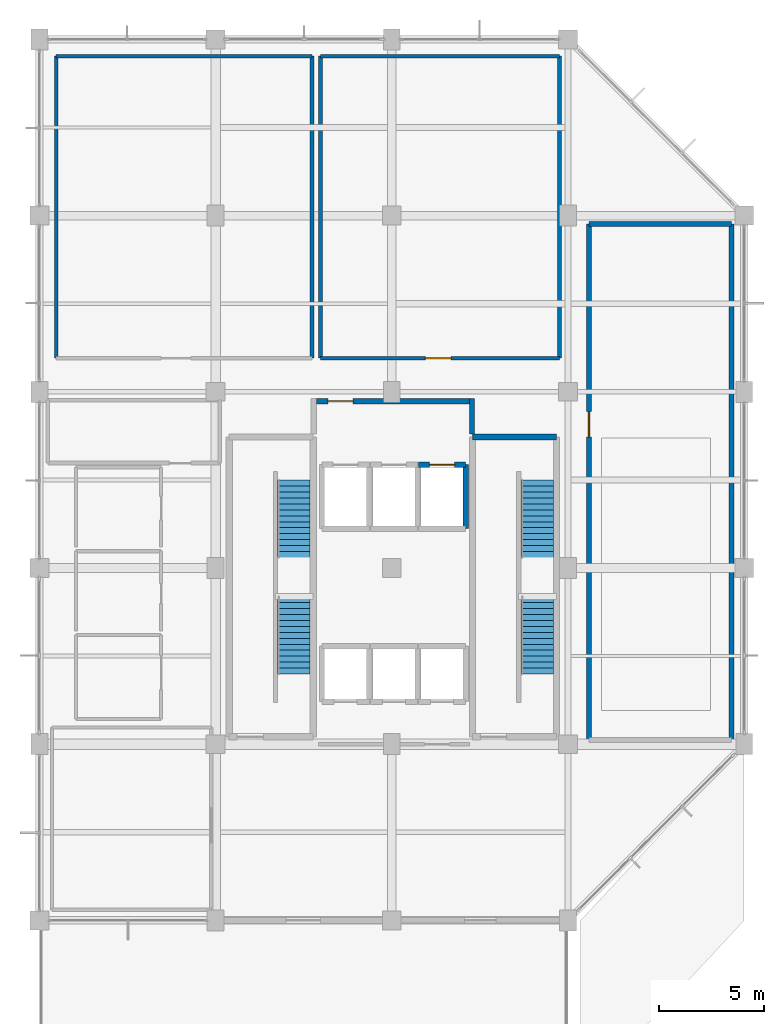
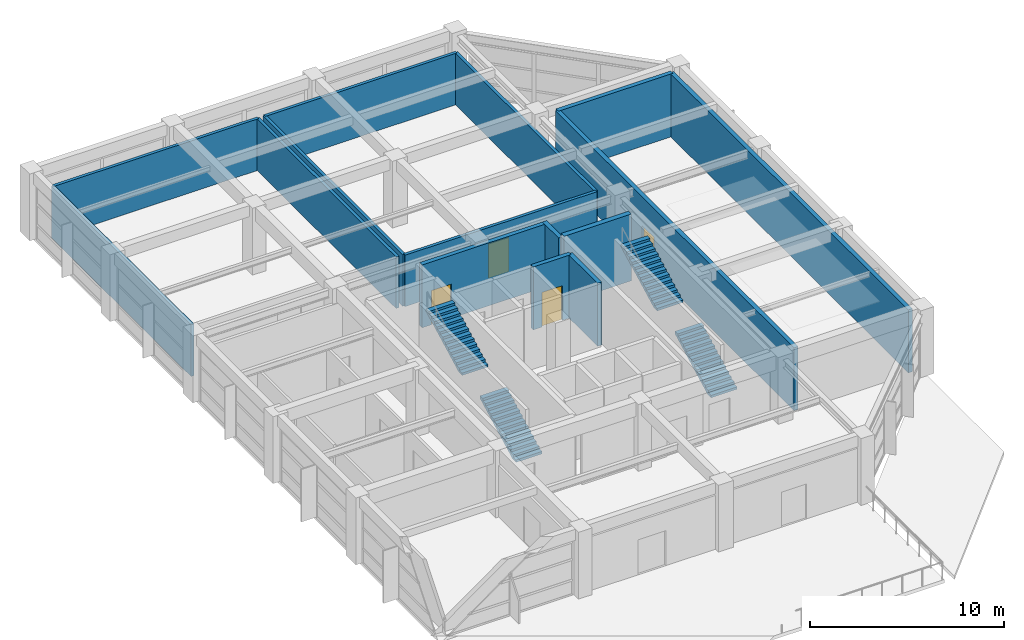
# One storey, part 10 of 11: 15 walls, 4 doors, 4 stair flights, 4 openings, 2 elements without a shape of their own.
"""IFC4 building model written with IfcOpenShell, lengths in metres."""

from ifc_helpers import new_model, si_unit, direction, frame, frame_2d, origin, place, context, subcontext, project, spatial, polyline, rectangle, outline, extrude, material, layer, layer_set, type_object, element, fill, aggregate, save


model = new_model("IFC4")

# Units and contexts
model_context = context("Model", 3, precision=1e-05, world=origin(), true_north=direction((0.0, 1.0)))
body_context = subcontext(model_context, "Body", "Model", "MODEL_VIEW")
ifc_project = project(units=[si_unit("LENGTHUNIT", "METRE"), si_unit("AREAUNIT", "SQUARE_METRE"), si_unit("VOLUMEUNIT", "CUBIC_METRE"), si_unit("PLANEANGLEUNIT", "RADIAN"), si_unit("MASSUNIT", "GRAM", prefix="KILO")], contexts=[model_context])

# Site, building, storey
site_placement = place(None, origin())
site = spatial("IfcSite", under=ifc_project, at=site_placement, CompositionType="ELEMENT")
building_placement = place(site_placement, origin())
building = spatial("IfcBuilding", under=site, at=building_placement, Name="Xuanlan Plaza Opera House", CompositionType="ELEMENT")
storey_placement = place(building_placement, frame((0.0, 0.0, 57.300048828125)))
storey = spatial("IfcBuildingStorey", under=building, at=storey_placement, Name="L13", CompositionType="ELEMENT", Elevation=57.300048828125)

# Walls
ifc_material_1 = material(Name="Gypsum Board and Galvanised Steel Studs", Category="gypsum")
ifc_layer_1 = layer(ifc_material_1, 0.179931640625)
ifc_layer_set_1 = layer_set([ifc_layer_1], Name="Gypsum Board and Galvanised Steel Studs")
wall_type_1 = type_object("IfcWallType", Name="INT-WL-PW-02", PredefinedType="PARTITIONING", material=ifc_layer_set_1)
wall_1_placement = place(storey_placement, frame((126.800048828125, 83.199951171875, 0.0), z_axis=(0.0, 0.0, 1.0), x_axis=(1.0, 0.0, 0.0)))
element("IfcWall", 1, at=wall_1_placement, inside=storey, type_object=wall_type_1, Name="Endowment Executive Suite West Wall North", PredefinedType="PARTITIONING", context=body_context, shape_type="SweptSolid", body=[
    extrude(rectangle(XDim=12.199951171875, YDim=0.179931640625, at=frame_2d((6.10009765625, 0.0))), origin(), (0.0, 0.0, 1.0), 3.239990234375),
])
for number, where, z_axis, x_axis, name in (
    (2, (126.800048828125, 68.800048828125, 0.0), (0.0, 0.0, 1.0), (0.0, 1.0, 0.0), "Endowment Executive Suite West Wall West"),
    (3, (139.0, 68.800048828125, 0.0), (0.0, 0.0, 1.0), (0.0, 1.0, 0.0), "Endowment Executive Suite West Wall East"),
):
    element("IfcWall", number, at=place(storey_placement, frame(where, z_axis=z_axis, x_axis=x_axis)), inside=storey, type_object=wall_type_1, Name=name, PredefinedType="PARTITIONING", context=body_context, shape_type="SweptSolid", body=[
        extrude(rectangle(XDim=14.39990234375, YDim=0.179931640625, at=frame_2d((7.199951171875, 0.0))), origin(), (0.0, 0.0, 1.0), 3.239990234375),
    ])

# Wall, opening, door
wall_2_placement = place(storey_placement, frame((139.39990234375, 68.800048828125, 0.0), z_axis=(0.0, 0.0, 1.0), x_axis=(1.0, 0.0, 0.0)))
wall_2 = element("IfcWall", 4, at=wall_2_placement, inside=storey, type_object=wall_type_1, Name="Patron Salon and Cultural Council Room Wall South", PredefinedType="PARTITIONING", context=body_context, shape_type="SweptSolid", body=[
    extrude(rectangle(XDim=11.400146484375, YDim=0.179931640625, at=frame_2d((5.7001953125, 0.0))), origin(), (0.0, 0.0, 1.0), 3.239990234375),
])
opening_1_placement = place(wall_2_placement, frame((5.0, 0.0, 0.0)))
opening_1 = element("IfcOpeningElement", 5, at=opening_1_placement, cuts=wall_2, Name="Opening D-05", PredefinedType="OPENING", context=body_context, shape_type="SweptSolid", body=[
    extrude(rectangle(XDim=1.219970703125, YDim=2.14990234375, at=frame_2d((0.60986328125, 1.074951171875))), frame((0.0, 0.099853515625, 0.0), z_axis=(0.0, -1.0, 0.0), x_axis=(1.0, 0.0, 0.0)), (0.0, 0.0, 1.0), 0.199951171875),
])
ifc_material_2 = material(Name="Walnut Hardwood Timber", Category="wood")
door_type_1 = type_object("IfcDoorType", Name="INT-DR-D-05", OperationType="NOTDEFINED", PredefinedType="DOOR", material=ifc_material_2)
door_1_placement = place(opening_1_placement, origin())
door_1 = element("IfcDoor", 6, at=door_1_placement, inside=storey, type_object=door_type_1, Name="Patron Salon and Cultural Council Room Door 1", OperationType="SINGLE_SWING_LEFT", OverallHeight=2.14990234375, OverallWidth=1.219970703125, PredefinedType="DOOR", context=body_context, shape_type="SweptSolid", body=[
    extrude(rectangle(XDim=1.219970703125, YDim=2.14990234375, at=frame_2d((0.60986328125, 1.074951171875))), frame((0.0, 0.02490234375, 0.0), z_axis=(0.0, -1.0, 0.0), x_axis=(1.0, 0.0, 0.0)), (0.0, 0.0, 1.0), 0.050048828125),
])
fill(opening_1, door_1)

# Walls
wall_3_placement = place(storey_placement, frame((139.39990234375, 83.199951171875, 0.0), z_axis=(0.0, 0.0, 1.0), x_axis=(1.0, 0.0, 0.0)))
element("IfcWall", 7, at=wall_3_placement, inside=storey, type_object=wall_type_1, Name="Patron Salon and Cultural Council Room Wall North", PredefinedType="PARTITIONING", context=body_context, shape_type="SweptSolid", body=[
    extrude(rectangle(XDim=11.400146484375, YDim=0.179931640625, at=frame_2d((5.7001953125, 0.0))), origin(), (0.0, 0.0, 1.0), 3.239990234375),
])
for number, where, z_axis, x_axis, name in (
    (8, (139.39990234375, 68.800048828125, 0.0), (0.0, 0.0, 1.0), (0.0, 1.0, 0.0), "Patron Salon and Cultural Council Room Wall West"),
    (9, (150.800048828125, 68.800048828125, 0.0), (0.0, 0.0, 1.0), (0.0, 1.0, 0.0), "Patron Salon and Cultural Council Room Wall East"),
):
    element("IfcWall", number, at=place(storey_placement, frame(where, z_axis=z_axis, x_axis=x_axis)), inside=storey, type_object=wall_type_1, Name=name, PredefinedType="PARTITIONING", context=body_context, shape_type="SweptSolid", body=[
        extrude(rectangle(XDim=14.39990234375, YDim=0.179931640625, at=frame_2d((7.199951171875, 0.0))), origin(), (0.0, 0.0, 1.0), 3.239990234375),
    ])

# Wall, opening, door
ifc_material_3 = material(Name="Concrete C40", Category="concrete")
ifc_layer_2 = layer(ifc_material_3, 0.25)
ifc_layer_set_2 = layer_set([ifc_layer_2], Name="Concrete C40")
wall_type_2 = type_object("IfcWallType", Name="INT-WL-SW-LF1", PredefinedType="SHEAR", material=ifc_layer_set_2)
wall_4_placement = place(storey_placement, frame((144.074951171875, 63.72509765625, 0.0), z_axis=(0.0, 0.0, 1.0), x_axis=(1.0, 0.0, 0.0)))
wall_4 = element("IfcWall", 10, at=wall_4_placement, inside=storey, type_object=wall_type_2, Name="Lift Shaft Wall LF-FF3 L13 North", PredefinedType="SHEAR", context=body_context, shape_type="SweptSolid", body=[
    extrude(rectangle(XDim=2.25, YDim=0.25, at=frame_2d((1.125, 0.0))), origin(), (0.0, 0.0, 1.0), 3.9599609375),
])
opening_2_placement = place(wall_4_placement, frame((0.52490234375, 0.0, 0.0)))
opening_2 = element("IfcOpeningElement", 11, at=opening_2_placement, cuts=wall_4, Name="Opening LD-FF3-L13", PredefinedType="OPENING", context=body_context, shape_type="SweptSolid", body=[
    extrude(rectangle(XDim=1.199951171875, YDim=2.179931640625, at=frame_2d((0.60009765625, 1.08984375))), frame((0.0, 0.135009765625, 0.0), z_axis=(0.0, -1.0, 0.0), x_axis=(1.0, 0.0, 0.0)), (0.0, 0.0, 1.0), 0.27001953125),
])
ifc_material_4 = material(Name="Stainless Steel S30408", Category="steel")
door_type_2 = type_object("IfcDoorType", Name="INT-DR-LD-02", OperationType="DOUBLE_DOOR_SLIDING", PredefinedType="DOOR", material=ifc_material_4)
door_2_placement = place(opening_2_placement, origin())
door_2 = element("IfcDoor", 12, at=door_2_placement, inside=storey, type_object=door_type_2, Name="Lift Sliding Landing Door LF-FF3 L13", OperationType="DOUBLE_DOOR_SLIDING", OverallHeight=2.179931640625, OverallWidth=1.199951171875, PredefinedType="DOOR", context=body_context, shape_type="SweptSolid", body=[
    extrude(rectangle(XDim=1.199951171875, YDim=2.179931640625, at=frame_2d((0.60009765625, 1.08984375))), frame((0.0, 0.02490234375, 0.0), z_axis=(0.0, -1.0, 0.0), x_axis=(1.0, 0.0, 0.0)), (0.0, 0.0, 1.0), 0.050048828125),
])
fill(opening_2, door_2)

# Walls
wall_5_placement = place(storey_placement, frame((146.324951171875, 60.675048828125, 0.0), z_axis=(0.0, 0.0, 1.0), x_axis=(0.0, 1.0, 0.0)))
element("IfcWall", 13, at=wall_5_placement, inside=storey, type_object=wall_type_2, Name="Lift Shaft Wall LF-FF3 L13 East", PredefinedType="SHEAR", context=body_context, shape_type="SweptSolid", body=[
    extrude(rectangle(XDim=3.050048828125, YDim=0.25, at=frame_2d((1.52490234375, 0.0))), origin(), (0.0, 0.0, 1.0), 3.9599609375),
])
wall_6_placement = place(storey_placement, frame((146.625, 65.199951171875, 0.0), z_axis=(0.0, 0.0, 1.0), x_axis=(0.0, 1.0, 0.0)))
element("IfcWall", 14, at=wall_6_placement, inside=storey, type_object=wall_type_2, Name="Firefighting Lift Lobby Enclosure Wall L13 E", PredefinedType="SHEAR", context=body_context, shape_type="SweptSolid", body=[
    extrude(rectangle(XDim=1.675048828125, YDim=0.25, at=frame_2d((0.83740234375, 0.0))), origin(), (0.0, 0.0, 1.0), 3.9599609375),
])

# Wall, opening, door
wall_7_placement = place(storey_placement, frame((139.199951171875, 66.75, 0.0), z_axis=(0.0, 0.0, 1.0), x_axis=(1.0, 0.0, 0.0)))
wall_7 = element("IfcWall", 15, at=wall_7_placement, inside=storey, type_object=wall_type_2, Name="Firefighting Lift Lobby Wall North", PredefinedType="SHEAR", context=body_context, shape_type="SweptSolid", body=[
    extrude(rectangle(XDim=7.300048828125, YDim=0.25, at=frame_2d((3.64990234375, 0.0))), origin(), (0.0, 0.0, 1.0), 3.9599609375),
])
opening_3_placement = place(wall_7_placement, frame((0.550048828125, 0.0, 0.0)))
opening_3 = element("IfcOpeningElement", 16, at=opening_3_placement, cuts=wall_7, Name="Opening FD-02", PredefinedType="OPENING", context=body_context, shape_type="SweptSolid", body=[
    extrude(rectangle(XDim=1.199951171875, YDim=2.14990234375, at=frame_2d((0.60009765625, 1.074951171875))), frame((0.0, 0.135009765625, 0.0), z_axis=(0.0, -1.0, 0.0), x_axis=(1.0, 0.0, 0.0)), (0.0, 0.0, 1.0), 0.27001953125),
])
ifc_material_5 = material(Name="Galvanised Steel Q235B", Category="steel")
door_type_3 = type_object("IfcDoorType", Name="INT-DR-FD-02", OperationType="NOTDEFINED", PredefinedType="DOOR", material=ifc_material_5)
door_3_placement = place(opening_3_placement, origin())
door_3 = element("IfcDoor", 17, at=door_3_placement, inside=storey, type_object=door_type_3, Name="Firefighting Lift Lobby Door 1", OperationType="SINGLE_SWING_RIGHT", OverallHeight=2.14990234375, OverallWidth=1.199951171875, PredefinedType="DOOR", context=body_context, shape_type="SweptSolid", body=[
    extrude(rectangle(XDim=1.199951171875, YDim=2.14990234375, at=frame_2d((0.60009765625, 1.074951171875))), frame((0.0, 0.02490234375, 0.0), z_axis=(0.0, -1.0, 0.0), x_axis=(1.0, 0.0, 0.0)), (0.0, 0.0, 1.0), 0.050048828125),
])
fill(opening_3, door_3)

# Wall
wall_8_placement = place(storey_placement, frame((152.199951171875, 75.199951171875, 0.0), z_axis=(0.0, 0.0, 1.0), x_axis=(1.0, 0.0, 0.0)))
element("IfcWall", 18, at=wall_8_placement, inside=storey, type_object=wall_type_2, Name="Orchestral Sheet-Music Archive Wall North", PredefinedType="SHEAR", context=body_context, shape_type="SweptSolid", body=[
    extrude(rectangle(XDim=6.800048828125, YDim=0.25, at=frame_2d((3.39990234375, 0.0))), origin(), (0.0, 0.0, 1.0), 3.9599609375),
])

# Wall, opening, door
wall_9_placement = place(storey_placement, frame((152.199951171875, 50.60009765625, 0.0), z_axis=(0.0, 0.0, 1.0), x_axis=(0.0, 1.0, 0.0)))
wall_9 = element("IfcWall", 19, at=wall_9_placement, inside=storey, type_object=wall_type_2, Name="Orchestral Sheet-Music Archive Wall West", PredefinedType="SHEAR", context=body_context, shape_type="SweptSolid", body=[
    extrude(rectangle(XDim=24.599853515625, YDim=0.25, at=frame_2d((12.2998046875, 0.0))), origin(), (0.0, 0.0, 1.0), 3.9599609375),
])
opening_4_placement = place(wall_9_placement, frame((14.449951171875, 0.0, 0.0)))
opening_4 = element("IfcOpeningElement", 20, at=opening_4_placement, cuts=wall_9, Name="Opening FD-02", PredefinedType="OPENING", context=body_context, shape_type="SweptSolid", body=[
    extrude(rectangle(XDim=1.199951171875, YDim=2.14990234375, at=frame_2d((0.60009765625, 1.074951171875))), frame((0.0, 0.135009765625, 0.0), z_axis=(0.0, -1.0, 0.0), x_axis=(1.0, 0.0, 0.0)), (0.0, 0.0, 1.0), 0.27001953125),
])
door_4_placement = place(opening_4_placement, origin())
door_4 = element("IfcDoor", 21, at=door_4_placement, inside=storey, type_object=door_type_3, Name="Orchestral Sheet-Music Archive Door 1", OperationType="SINGLE_SWING_RIGHT", OverallHeight=2.14990234375, OverallWidth=1.199951171875, PredefinedType="DOOR", context=body_context, shape_type="SweptSolid", body=[
    extrude(rectangle(XDim=1.199951171875, YDim=2.14990234375, at=frame_2d((0.60009765625, 1.074951171875))), frame((0.0, 0.02490234375, 0.0), z_axis=(0.0, -1.0, 0.0), x_axis=(1.0, 0.0, 0.0)), (0.0, 0.0, 1.0), 0.050048828125),
])
fill(opening_4, door_4)

# Walls
wall_10_placement = place(storey_placement, frame((159.0, 50.60009765625, 0.0), z_axis=(0.0, 0.0, 1.0), x_axis=(0.0, 1.0, 0.0)))
element("IfcWall", 22, at=wall_10_placement, inside=storey, type_object=wall_type_2, Name="Orchestral Sheet-Music Archive Wall East", PredefinedType="SHEAR", context=body_context, shape_type="SweptSolid", body=[
    extrude(rectangle(XDim=24.599853515625, YDim=0.25, at=frame_2d((12.2998046875, 0.0))), origin(), (0.0, 0.0, 1.0), 3.9599609375),
])
ifc_layer_3 = layer(ifc_material_3, 0.300048828125)
ifc_layer_set_3 = layer_set([ifc_layer_3], Name="Concrete C40")
wall_type_3 = type_object("IfcWallType", Name="INT-WL-SW-ST1", PredefinedType="SHEAR", material=ifc_layer_set_3)
wall_11_placement = place(storey_placement, frame((146.64990234375, 65.050048828125, 0.0), z_axis=(0.0, 0.0, 1.0), x_axis=(1.0, 0.0, 0.0)))
element("IfcWall", 23, at=wall_11_placement, inside=storey, type_object=wall_type_3, Name="Stair Core Wall ST-T2 L13 North", PredefinedType="SHEAR", context=body_context, shape_type="SweptSolid", body=[
    extrude(rectangle(XDim=4.0, YDim=0.300048828125, at=frame_2d((2.0, 0.0))), origin(), (0.0, 0.0, 1.0), 4.199951171875),
])

# Stair, stair flights
stair_type = type_object("IfcStairType", Name="INT-ST-STR-T155", PredefinedType="STRAIGHT_RUN_STAIR", material=ifc_material_3)
stair_1_placement = place(storey_placement, origin())
stair_1 = element("IfcStair", 24, at=stair_1_placement, inside=storey, type_object=stair_type, Name="Protected Exit Stair ST-T1 L13", PredefinedType="STRAIGHT_RUN_STAIR")
ifc_layer_4 = layer(ifc_material_3, 0.159912109375)
ifc_layer_set_4 = layer_set([ifc_layer_4], Name="Concrete C40")
stair_flight_type = type_object("IfcStairFlightType", Name="INT-FL-FL-155", PredefinedType="STRAIGHT", material=ifc_layer_set_4)
stair_flight_1_placement = place(storey_placement, frame((138.125, 53.739990234375, 0.0), z_axis=(0.0, 0.0, 1.0), x_axis=(0.0, 1.0, 0.0)))
stair_flight_1 = element("IfcStairFlight", 25, at=stair_flight_1_placement, type_object=stair_flight_type, Name="ST-T1-L13 flight 1", NumberOfRisers=14, NumberOfTreads=13, PredefinedType="STRAIGHT", RiserHeight=0.15, TreadLength=0.285, context=body_context, shape_type="SweptSolid", body=[
    extrude(outline(polyline([(0.0, 0.0), (0.0, 0.14990234375), (0.284912109375, 0.14990234375), (0.284912109375, 0.300048828125), (0.570068359375, 0.300048828125), (0.570068359375, 0.449951171875), (0.85498046875, 0.449951171875), (0.85498046875, 0.60009765625), (1.139892578125, 0.60009765625), (1.139892578125, 0.75), (1.425048828125, 0.75), (1.425048828125, 0.89990234375), (1.7099609375, 0.89990234375), (1.7099609375, 1.050048828125), (1.9951171875, 1.050048828125), (1.9951171875, 1.199951171875), (2.280029296875, 1.199951171875), (2.280029296875, 1.35009765625), (2.56494140625, 1.35009765625), (2.56494140625, 1.5), (2.85009765625, 1.5), (2.85009765625, 1.64990234375), (3.135009765625, 1.64990234375), (3.135009765625, 1.800048828125), (3.419921875, 1.800048828125), (3.419921875, 1.949951171875), (3.705078125, 1.949951171875), (3.705078125, 2.10009765625), (3.705078125, 1.769287109375), (0.34326171875, 0.0), (0.0, 0.0)])), frame((0.0, 0.77490234375, 0.0), z_axis=(0.0, -1.0, 0.0), x_axis=(1.0, 0.0, 0.0)), (0.0, 0.0, 1.0), 1.550048828125),
])
stair_flight_2_placement = place(storey_placement, frame((138.125, 59.294921875, 2.099853515625), z_axis=(0.0, 0.0, 1.0), x_axis=(0.0, 1.0, 0.0)))
stair_flight_2 = element("IfcStairFlight", 26, at=stair_flight_2_placement, type_object=stair_flight_type, Name="ST-T1-L13 flight 2", NumberOfRisers=14, NumberOfTreads=13, PredefinedType="STRAIGHT", RiserHeight=0.15, TreadLength=0.285, context=body_context, shape_type="SweptSolid", body=[
    extrude(outline(polyline([(0.0, 0.0), (0.0, 0.14990234375), (0.284912109375, 0.14990234375), (0.284912109375, 0.300048828125), (0.570068359375, 0.300048828125), (0.570068359375, 0.449951171875), (0.85498046875, 0.449951171875), (0.85498046875, 0.60009765625), (1.139892578125, 0.60009765625), (1.139892578125, 0.75), (1.425048828125, 0.75), (1.425048828125, 0.89990234375), (1.7099609375, 0.89990234375), (1.7099609375, 1.050048828125), (1.9951171875, 1.050048828125), (1.9951171875, 1.199951171875), (2.280029296875, 1.199951171875), (2.280029296875, 1.35009765625), (2.56494140625, 1.35009765625), (2.56494140625, 1.5), (2.85009765625, 1.5), (2.85009765625, 1.64990234375), (3.135009765625, 1.64990234375), (3.135009765625, 1.800048828125), (3.419921875, 1.800048828125), (3.419921875, 1.949951171875), (3.705078125, 1.949951171875), (3.705078125, 2.10009765625), (3.705078125, 1.769287109375), (0.34326171875, 0.0), (0.0, 0.0)])), frame((0.0, 0.77490234375, 0.0), z_axis=(0.0, -1.0, 0.0), x_axis=(1.0, 0.0, 0.0)), (0.0, 0.0, 1.0), 1.550048828125),
])
aggregate(stair_1, [stair_flight_1, stair_flight_2])

stair_2_placement = place(storey_placement, origin())
stair_2 = element("IfcStair", 27, at=stair_2_placement, inside=storey, type_object=stair_type, Name="Protected Exit Stair ST-T2 L13", PredefinedType="STRAIGHT_RUN_STAIR")
stair_flight_3_placement = place(storey_placement, frame((149.72509765625, 53.739990234375, 0.0), z_axis=(0.0, 0.0, 1.0), x_axis=(0.0, 1.0, 0.0)))
stair_flight_3 = element("IfcStairFlight", 28, at=stair_flight_3_placement, type_object=stair_flight_type, Name="ST-T2-L13 flight 1", NumberOfRisers=14, NumberOfTreads=13, PredefinedType="STRAIGHT", RiserHeight=0.15, TreadLength=0.285, context=body_context, shape_type="SweptSolid", body=[
    extrude(outline(polyline([(0.0, 0.0), (0.0, 0.14990234375), (0.284912109375, 0.14990234375), (0.284912109375, 0.300048828125), (0.570068359375, 0.300048828125), (0.570068359375, 0.449951171875), (0.85498046875, 0.449951171875), (0.85498046875, 0.60009765625), (1.139892578125, 0.60009765625), (1.139892578125, 0.75), (1.425048828125, 0.75), (1.425048828125, 0.89990234375), (1.7099609375, 0.89990234375), (1.7099609375, 1.050048828125), (1.9951171875, 1.050048828125), (1.9951171875, 1.199951171875), (2.280029296875, 1.199951171875), (2.280029296875, 1.35009765625), (2.56494140625, 1.35009765625), (2.56494140625, 1.5), (2.85009765625, 1.5), (2.85009765625, 1.64990234375), (3.135009765625, 1.64990234375), (3.135009765625, 1.800048828125), (3.419921875, 1.800048828125), (3.419921875, 1.949951171875), (3.705078125, 1.949951171875), (3.705078125, 2.10009765625), (3.705078125, 1.769287109375), (0.34326171875, 0.0), (0.0, 0.0)])), frame((0.0, 0.77490234375, 0.0), z_axis=(0.0, -1.0, 0.0), x_axis=(1.0, 0.0, 0.0)), (0.0, 0.0, 1.0), 1.550048828125),
])
stair_flight_4_placement = place(storey_placement, frame((149.72509765625, 59.294921875, 2.099853515625), z_axis=(0.0, 0.0, 1.0), x_axis=(0.0, 1.0, 0.0)))
stair_flight_4 = element("IfcStairFlight", 29, at=stair_flight_4_placement, type_object=stair_flight_type, Name="ST-T2-L13 flight 2", NumberOfRisers=14, NumberOfTreads=13, PredefinedType="STRAIGHT", RiserHeight=0.15, TreadLength=0.285, context=body_context, shape_type="SweptSolid", body=[
    extrude(outline(polyline([(0.0, 0.0), (0.0, 0.14990234375), (0.284912109375, 0.14990234375), (0.284912109375, 0.300048828125), (0.570068359375, 0.300048828125), (0.570068359375, 0.449951171875), (0.85498046875, 0.449951171875), (0.85498046875, 0.60009765625), (1.139892578125, 0.60009765625), (1.139892578125, 0.75), (1.425048828125, 0.75), (1.425048828125, 0.89990234375), (1.7099609375, 0.89990234375), (1.7099609375, 1.050048828125), (1.9951171875, 1.050048828125), (1.9951171875, 1.199951171875), (2.280029296875, 1.199951171875), (2.280029296875, 1.35009765625), (2.56494140625, 1.35009765625), (2.56494140625, 1.5), (2.85009765625, 1.5), (2.85009765625, 1.64990234375), (3.135009765625, 1.64990234375), (3.135009765625, 1.800048828125), (3.419921875, 1.800048828125), (3.419921875, 1.949951171875), (3.705078125, 1.949951171875), (3.705078125, 2.10009765625), (3.705078125, 1.769287109375), (0.34326171875, 0.0), (0.0, 0.0)])), frame((0.0, 0.77490234375, 0.0), z_axis=(0.0, -1.0, 0.0), x_axis=(1.0, 0.0, 0.0)), (0.0, 0.0, 1.0), 1.550048828125),
])
aggregate(stair_2, [stair_flight_3, stair_flight_4])

save(model, "model.ifc")
